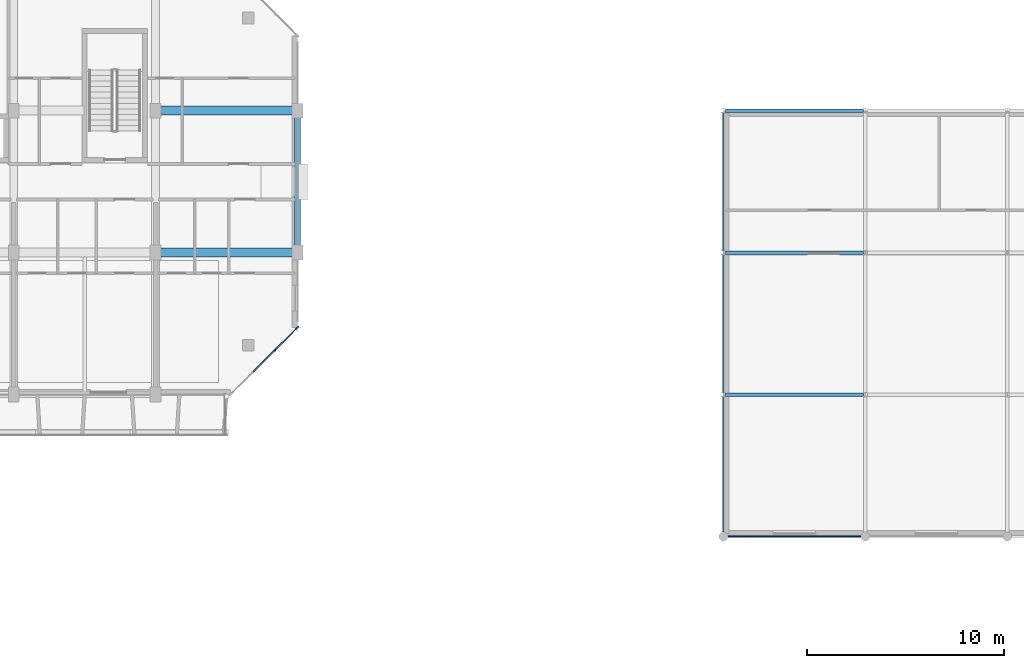
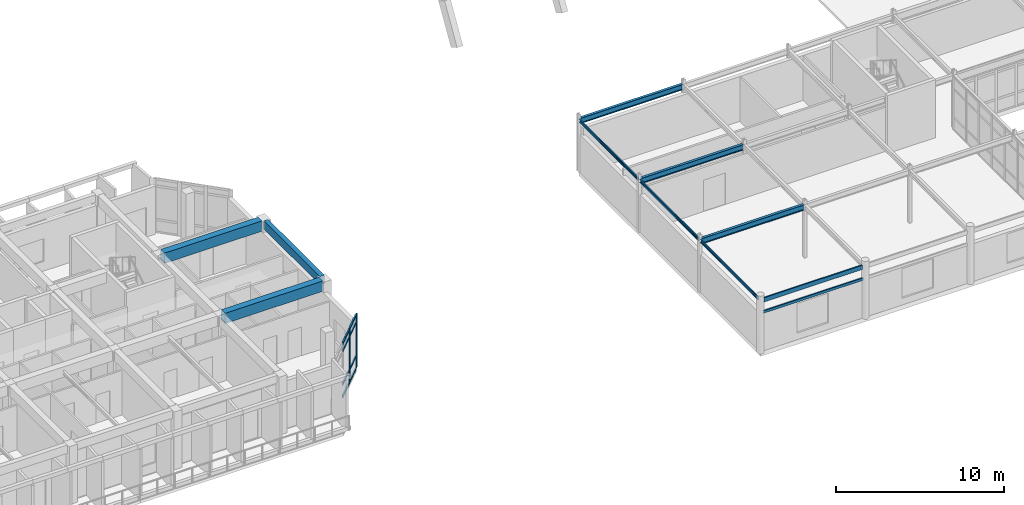
# One storey, part 17 of 85: 11 beams, 10 members, 1 element without a shape of its own.
"""IFC4 building model written with IfcOpenShell, lengths in metres."""

from ifc_helpers import new_model, si_unit, direction, frame, origin, origin_2d, place, context, subcontext, project, spatial, rectangle, i_section, u_section, extrude, material, layer, layer_set, material_profile, profile_set, type_object, element, aggregate, save


model = new_model("IFC4")

# Units and contexts
model_context = context("Model", 3, precision=1e-05, world=origin(), true_north=direction((0.0, 1.0)))
body_context = subcontext(model_context, "Body", "Model", "MODEL_VIEW")
ifc_project = project(units=[si_unit("LENGTHUNIT", "METRE"), si_unit("AREAUNIT", "SQUARE_METRE"), si_unit("VOLUMEUNIT", "CUBIC_METRE"), si_unit("PLANEANGLEUNIT", "RADIAN"), si_unit("MASSUNIT", "GRAM", prefix="KILO")], contexts=[model_context])

# Site, building, storey
site_placement = place(None, origin())
site = spatial("IfcSite", under=ifc_project, at=site_placement, CompositionType="ELEMENT")
building_placement = place(site_placement, origin())
building = spatial("IfcBuilding", under=site, at=building_placement, Name="Ochrevale Crest", CompositionType="ELEMENT")
storey_placement = place(building_placement, frame((0.0, 0.0, 4.5)))
storey = spatial("IfcBuildingStorey", under=building, at=storey_placement, Name="L01", CompositionType="ELEMENT", Elevation=4.5)

# Beams
ifc_material_1 = material(Name="Steel S355", Category="steel")
ifc_material_profile_1 = material_profile(ifc_material_1, u_section(Depth=0.179931640625, FlangeWidth=0.074951171875, WebThickness=0.006103515625, FlangeThickness=0.010986328125, FilletRadius=0.011962890625, at=origin_2d()), Name="180PFC")
ifc_profile_set_1 = profile_set([ifc_material_profile_1], Name="Steel S355")
beam_type_1 = type_object("IfcBeamType", Name="BM-PFC180", PredefinedType="LINTEL", material=ifc_profile_set_1)
beam_1_placement = place(storey_placement, frame((57.75, 7.199951171875, 2.85009765625), z_axis=(1.0, 0.0, 0.0), x_axis=(0.0, 1.0, 0.0)))
element("IfcBeam", 1, at=beam_1_placement, inside=storey, type_object=beam_type_1, Name="Retail shopfront steel lintel L01-1", PredefinedType="LINTEL", context=body_context, shape_type="SweptSolid", body=[
    extrude(u_section(Depth=0.179931640625, FlangeWidth=0.074951171875, WebThickness=0.006103515625, FlangeThickness=0.010986328125, FilletRadius=0.011962890625, at=origin_2d()), origin(), (0.0, 0.0, 1.0), 6.89990234375),
])
ifc_material_profile_2 = material_profile(ifc_material_1, u_section(Depth=0.22998046875, FlangeWidth=0.074951171875, WebThickness=0.006591796875, FlangeThickness=0.011962890625, FilletRadius=0.011962890625, at=origin_2d()), Name="230PFC")
ifc_profile_set_2 = profile_set([ifc_material_profile_2], Name="Steel S355")
beam_type_2 = type_object("IfcBeamType", Name="BM-PFC230", PredefinedType="SPANDREL", material=ifc_profile_set_2)
beam_2_placement = place(storey_placement, frame((57.60009765625, 7.419921875, 3.760009765625), z_axis=(0.0, 1.0, 0.0), x_axis=(-1.0, 0.0, 0.0)))
element("IfcBeam", 2, at=beam_2_placement, inside=storey, type_object=beam_type_2, Name="Retail arcade L01 N-S beam X=57.6", PredefinedType="SPANDREL", context=body_context, shape_type="SweptSolid", body=[
    extrude(u_section(Depth=0.22998046875, FlangeWidth=0.074951171875, WebThickness=0.006591796875, FlangeThickness=0.011962890625, FilletRadius=0.011962890625, at=origin_2d()), origin(), (0.0, 0.0, 1.0), 6.882080078125),
])
for number, where, z_axis, x_axis, name in (
    (3, (57.60009765625, 14.498046875, 3.760009765625), (0.0, 1.0, 0.0), (-1.0, 0.0, 0.0), "Retail arcade L01 N-S beam X=57.6"),
    (4, (57.60009765625, 21.697998046875, 3.760009765625), (0.0, 1.0, 0.0), (-1.0, 0.0, 0.0), "Retail arcade L01 N-S beam X=57.6"),
):
    element("IfcBeam", number, at=place(storey_placement, frame(where, z_axis=z_axis, x_axis=x_axis)), inside=storey, type_object=beam_type_2, Name=name, PredefinedType="SPANDREL", context=body_context, shape_type="SweptSolid", body=[
        extrude(u_section(Depth=0.22998046875, FlangeWidth=0.074951171875, WebThickness=0.006591796875, FlangeThickness=0.011962890625, FilletRadius=0.011962890625, at=origin_2d()), origin(), (0.0, 0.0, 1.0), 7.00390625),
    ])
ifc_material_profile_3 = material_profile(ifc_material_1, u_section(Depth=0.300048828125, FlangeWidth=0.090087890625, WebThickness=0.008056640625, FlangeThickness=0.01611328125, FilletRadius=0.013916015625, at=origin_2d()), Name="300PFC")
ifc_profile_set_3 = profile_set([ifc_material_profile_3], Name="Steel S355")
beam_type_3 = type_object("IfcBeamType", Name="BM-PFC300", PredefinedType="BEAM", material=ifc_profile_set_3)
beam_3_placement = place(storey_placement, frame((57.820068359375, 7.199951171875, 3.72509765625), z_axis=(1.0, 0.0, 0.0), x_axis=(0.0, 1.0, 0.0)))
element("IfcBeam", 5, at=beam_3_placement, inside=storey, type_object=beam_type_3, Name="Retail arcade L01 E-W beam Y=7.2", PredefinedType="BEAM", context=body_context, shape_type="SweptSolid", body=[
    extrude(u_section(Depth=0.300048828125, FlangeWidth=0.090087890625, WebThickness=0.008056640625, FlangeThickness=0.01611328125, FilletRadius=0.013916015625, at=origin_2d()), origin(), (0.0, 0.0, 1.0), 6.760009765625),
])
ifc_material_2 = material(Name="Concrete C50/60", Category="concrete")
ifc_material_profile_4 = material_profile(ifc_material_2, rectangle(XDim=0.449951171875, YDim=0.75, at=origin_2d()), Name="RC 450x750")
ifc_profile_set_4 = profile_set([ifc_material_profile_4], Name="Concrete C50/60")
beam_type_4 = type_object("IfcBeamType", Name="BM-PG450x750", PredefinedType="USERDEFINED", material=ifc_profile_set_4)
for number, where, z_axis, x_axis, name in (
    (6, (29.050048828125, 21.60009765625, 3.824951171875), (1.0, 0.0, 0.0), (0.0, 1.0, 0.0), "Block A L01 E-W beam Y=21.6"),
    (7, (29.050048828125, 28.800048828125, 3.824951171875), (1.0, 0.0, 0.0), (0.0, 1.0, 0.0), "Block A L01 E-W beam Y=28.8"),
):
    element("IfcBeam", number, at=place(storey_placement, frame(where, z_axis=z_axis, x_axis=x_axis)), inside=storey, type_object=beam_type_4, Name=name, ObjectType="GIRDER", PredefinedType="USERDEFINED", context=body_context, shape_type="SweptSolid", body=[
        extrude(rectangle(XDim=0.449951171875, YDim=0.75, at=origin_2d()), origin(), (0.0, 0.0, 1.0), 6.699951171875),
    ])
ifc_material_3 = material(Name="Precast concrete C40/50", Category="concrete")
ifc_material_profile_5 = material_profile(ifc_material_3, rectangle(XDim=0.300048828125, YDim=0.60009765625, at=origin_2d()), Name="PC 300x600")
ifc_profile_set_5 = profile_set([ifc_material_profile_5], Name="Precast concrete C40/50")
beam_type_5 = type_object("IfcBeamType", Name="BM-SP300x600", PredefinedType="SPANDREL", material=ifc_profile_set_5)
beam_4_placement = place(storey_placement, frame((36.0, 21.85498046875, 3.89990234375), z_axis=(0.0, 1.0, 0.0), x_axis=(-1.0, 0.0, 0.0)))
element("IfcBeam", 8, at=beam_4_placement, inside=storey, type_object=beam_type_5, Name="Block A L01 N-S beam X=36.0", PredefinedType="SPANDREL", context=body_context, shape_type="SweptSolid", body=[
    extrude(rectangle(XDim=0.300048828125, YDim=0.60009765625, at=origin_2d()), origin(), (0.0, 0.0, 1.0), 6.68994140625),
])
ifc_material_profile_6 = material_profile(ifc_material_1, i_section(OverallWidth=0.177734375, OverallDepth=0.402587890625, WebThickness=0.007568359375, FlangeThickness=0.010986328125, FilletRadius=0.011474609375, at=origin_2d()), Name="410UB53.7")
ifc_profile_set_6 = profile_set([ifc_material_profile_6], Name="Steel S355")
beam_type_6 = type_object("IfcBeamType", Name="BM-UB410A", PredefinedType="BEAM", material=ifc_profile_set_6)
for number, where, z_axis, x_axis, name in (
    (9, (57.697998046875, 14.39990234375, 3.673583984375), (1.0, 0.0, 0.0), (0.0, 1.0, 0.0), "Retail arcade L01 E-W beam Y=14.4"),
    (10, (57.697998046875, 21.60009765625, 3.673583984375), (1.0, 0.0, 0.0), (0.0, 1.0, 0.0), "Retail arcade L01 E-W beam Y=21.6"),
    (11, (57.697998046875, 28.800048828125, 3.673583984375), (1.0, 0.0, 0.0), (0.0, 1.0, 0.0), "Retail arcade L01 E-W beam Y=28.8"),
):
    element("IfcBeam", number, at=place(storey_placement, frame(where, z_axis=z_axis, x_axis=x_axis)), inside=storey, type_object=beam_type_6, Name=name, PredefinedType="BEAM", context=body_context, shape_type="SweptSolid", body=[
        extrude(i_section(OverallWidth=0.177734375, OverallDepth=0.402587890625, WebThickness=0.007568359375, FlangeThickness=0.010986328125, FilletRadius=0.011474609375, at=origin_2d()), origin(), (0.0, 0.0, 1.0), 7.00390625),
    ])

# Curtain wall, members
ifc_material_4 = material(Name="Anodised aluminium 6063-T5", Category="aluminium")
ifc_layer = layer(ifc_material_4, 0.14990234375)
ifc_layer_set = layer_set([ifc_layer], Name="Anodised aluminium 6063-T5")
curtain_wall_type = type_object("IfcCurtainWallType", Name="CW-WG-360x385", PredefinedType="NOTDEFINED", material=ifc_layer_set)
curtain_wall_placement = place(storey_placement, origin())
curtain_wall = element("IfcCurtainWall", 12, at=curtain_wall_placement, inside=storey, type_object=curtain_wall_type, Name="Block A L01 chamfered corner wintergarden curtain wall 2", PredefinedType="NOTDEFINED")
ifc_material_profile_7 = material_profile(ifc_material_4, rectangle(XDim=0.074951171875, YDim=0.219970703125, at=origin_2d()), Name="ALU 75x220")
ifc_profile_set_7 = profile_set([ifc_material_profile_7], Name="Anodised aluminium 6063-T5")
member_type_1 = type_object("IfcMemberType", Name="CW-MUL-75x220", PredefinedType="MULLION", material=ifc_profile_set_7)
member_1_placement = place(storey_placement, frame((34.86669921875, 16.666748046875, 0.0), z_axis=(0.0, 0.0, 1.0), x_axis=(-0.707106781187, 0.707106781187, 0.0)))
member_1 = element("IfcMember", 13, at=member_1_placement, type_object=member_type_1, Name="CW20 mullion 3", PredefinedType="MULLION", context=body_context, shape_type="SweptSolid", body=[
    extrude(rectangle(XDim=0.074951171875, YDim=0.219970703125, at=origin_2d()), origin(), (0.0, 0.0, 1.0), 3.925048828125),
])
member_2_placement = place(storey_placement, frame((35.973388671875, 17.7734375, 0.0), z_axis=(0.0, 0.0, 1.0), x_axis=(-0.707106781187, 0.707106781187, 0.0)))
member_2 = element("IfcMember", 14, at=member_2_placement, type_object=member_type_1, Name="CW20 mullion 4", PredefinedType="MULLION", context=body_context, shape_type="SweptSolid", body=[
    extrude(rectangle(XDim=0.074951171875, YDim=0.219970703125, at=origin_2d()), origin(), (0.0, 0.0, 1.0), 3.925048828125),
])
ifc_material_profile_8 = material_profile(ifc_material_4, rectangle(XDim=0.06005859375, YDim=0.14990234375, at=origin_2d()), Name="ALU 60x150")
ifc_profile_set_8 = profile_set([ifc_material_profile_8], Name="Anodised aluminium 6063-T5")
member_type_2 = type_object("IfcMemberType", Name="CW-TRN-60x150", PredefinedType="USERDEFINED", material=ifc_profile_set_8)
member_3_placement = place(storey_placement, frame((33.759765625, 15.559814453125, 0.030029296875), z_axis=(0.707106781187, 0.707106781187, 0.0), x_axis=(-0.707106781187, 0.707106781187, 0.0)))
member_3 = element("IfcMember", 15, at=member_3_placement, type_object=member_type_2, Name="CW20 transom 2.1", ObjectType="TRANSOM", PredefinedType="USERDEFINED", context=body_context, shape_type="SweptSolid", body=[
    extrude(rectangle(XDim=0.06005859375, YDim=0.14990234375, at=origin_2d()), origin(), (0.0, 0.0, 1.0), 1.52783203125),
])
member_4_placement = place(storey_placement, frame((33.759765625, 15.559814453125, 0.949951171875), z_axis=(0.707106781187, 0.707106781187, 0.0), x_axis=(-0.707106781187, 0.707106781187, 0.0)))
member_4 = element("IfcMember", 16, at=member_4_placement, type_object=member_type_2, Name="CW20 transom 2.2", ObjectType="TRANSOM", PredefinedType="USERDEFINED", context=body_context, shape_type="SweptSolid", body=[
    extrude(rectangle(XDim=0.06005859375, YDim=0.14990234375, at=origin_2d()), origin(), (0.0, 0.0, 1.0), 1.52783203125),
])
member_5_placement = place(storey_placement, frame((33.759765625, 15.559814453125, 3.375), z_axis=(0.707106781187, 0.707106781187, 0.0), x_axis=(-0.707106781187, 0.707106781187, 0.0)))
member_5 = element("IfcMember", 17, at=member_5_placement, type_object=member_type_2, Name="CW20 transom 2.3", ObjectType="TRANSOM", PredefinedType="USERDEFINED", context=body_context, shape_type="SweptSolid", body=[
    extrude(rectangle(XDim=0.06005859375, YDim=0.14990234375, at=origin_2d()), origin(), (0.0, 0.0, 1.0), 1.52783203125),
])
member_6_placement = place(storey_placement, frame((33.759765625, 15.559814453125, 3.89501953125), z_axis=(0.707106781187, 0.707106781187, 0.0), x_axis=(-0.707106781187, 0.707106781187, 0.0)))
member_6 = element("IfcMember", 18, at=member_6_placement, type_object=member_type_2, Name="CW20 transom 2.4", ObjectType="TRANSOM", PredefinedType="USERDEFINED", context=body_context, shape_type="SweptSolid", body=[
    extrude(rectangle(XDim=0.06005859375, YDim=0.14990234375, at=origin_2d()), origin(), (0.0, 0.0, 1.0), 1.52783203125),
])
member_7_placement = place(storey_placement, frame((34.89306640625, 16.693115234375, 0.030029296875), z_axis=(0.707106781187, 0.707106781187, 0.0), x_axis=(-0.707106781187, 0.707106781187, 0.0)))
member_7 = element("IfcMember", 19, at=member_7_placement, type_object=member_type_2, Name="CW20 transom 3.1", ObjectType="TRANSOM", PredefinedType="USERDEFINED", context=body_context, shape_type="SweptSolid", body=[
    extrude(rectangle(XDim=0.06005859375, YDim=0.14990234375, at=origin_2d()), origin(), (0.0, 0.0, 1.0), 1.490478515625),
])
member_8_placement = place(storey_placement, frame((34.89306640625, 16.693115234375, 0.949951171875), z_axis=(0.707106781187, 0.707106781187, 0.0), x_axis=(-0.707106781187, 0.707106781187, 0.0)))
member_8 = element("IfcMember", 20, at=member_8_placement, type_object=member_type_2, Name="CW20 transom 3.2", ObjectType="TRANSOM", PredefinedType="USERDEFINED", context=body_context, shape_type="SweptSolid", body=[
    extrude(rectangle(XDim=0.06005859375, YDim=0.14990234375, at=origin_2d()), origin(), (0.0, 0.0, 1.0), 1.490478515625),
])
member_9_placement = place(storey_placement, frame((34.89306640625, 16.693115234375, 3.375), z_axis=(0.707106781187, 0.707106781187, 0.0), x_axis=(-0.707106781187, 0.707106781187, 0.0)))
member_9 = element("IfcMember", 21, at=member_9_placement, type_object=member_type_2, Name="CW20 transom 3.3", ObjectType="TRANSOM", PredefinedType="USERDEFINED", context=body_context, shape_type="SweptSolid", body=[
    extrude(rectangle(XDim=0.06005859375, YDim=0.14990234375, at=origin_2d()), origin(), (0.0, 0.0, 1.0), 1.490478515625),
])
member_10_placement = place(storey_placement, frame((34.89306640625, 16.693115234375, 3.89501953125), z_axis=(0.707106781187, 0.707106781187, 0.0), x_axis=(-0.707106781187, 0.707106781187, 0.0)))
member_10 = element("IfcMember", 22, at=member_10_placement, type_object=member_type_2, Name="CW20 transom 3.4", ObjectType="TRANSOM", PredefinedType="USERDEFINED", context=body_context, shape_type="SweptSolid", body=[
    extrude(rectangle(XDim=0.06005859375, YDim=0.14990234375, at=origin_2d()), origin(), (0.0, 0.0, 1.0), 1.490478515625),
])
aggregate(curtain_wall, [member_1, member_2, member_3, member_4, member_5, member_6, member_7, member_8, member_9, member_10])

save(model, "model.ifc")
